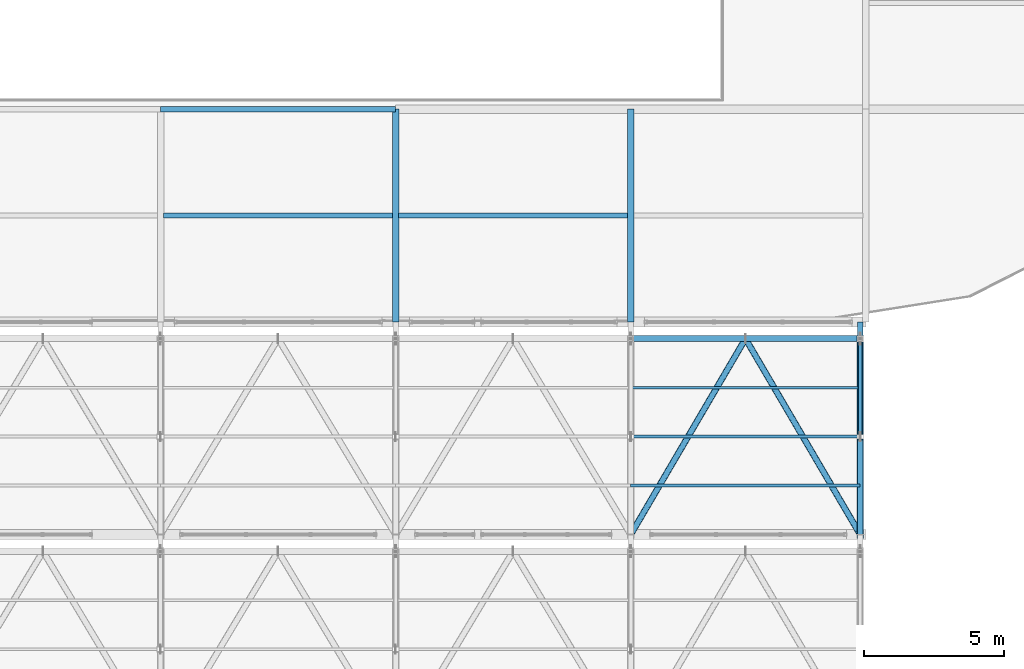
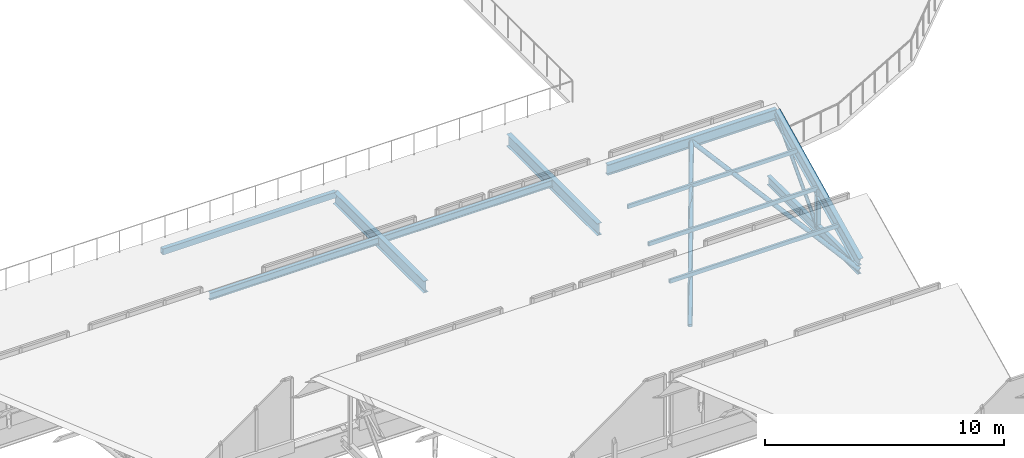
# One storey, part 37 of 57: 10 members, 5 beams.
"""IFC4 building model written with IfcOpenShell, lengths in metres."""

from ifc_helpers import new_model, si_unit, direction, frame, origin, origin_2d, place, context, subcontext, project, spatial, hollow_rectangle, hollow_circle, i_section, extrude, material, material_profile, profile_set, type_object, element, save


model = new_model("IFC4")

# Units and contexts
model_context = context("Model", 3, precision=1e-05, world=origin(), true_north=direction((0.0, 1.0)))
body_context = subcontext(model_context, "Body", "Model", "MODEL_VIEW")
ifc_project = project(units=[si_unit("LENGTHUNIT", "METRE"), si_unit("AREAUNIT", "SQUARE_METRE"), si_unit("VOLUMEUNIT", "CUBIC_METRE"), si_unit("PLANEANGLEUNIT", "RADIAN"), si_unit("MASSUNIT", "GRAM", prefix="KILO")], contexts=[model_context])

# Site, building, storey
site_placement = place(None, origin())
site = spatial("IfcSite", under=ifc_project, at=site_placement, CompositionType="ELEMENT")
building_placement = place(site_placement, origin())
building = spatial("IfcBuilding", under=site, at=building_placement, Name="Zuvorla Pavilion Media Centre", CompositionType="ELEMENT")
storey_placement = place(building_placement, frame((0.0, 0.0, 18.0)))
storey = spatial("IfcBuildingStorey", under=building, at=storey_placement, Name="L04", CompositionType="ELEMENT", Elevation=18.0)

# Beams
ifc_material = material(Name="Steel S355", Category="steel")
ifc_material_profile_1 = material_profile(ifc_material, hollow_rectangle(XDim=0.199951171875, YDim=0.300048828125, WallThickness=0.012451171875, at=origin_2d()), Name="RHS 300x200x12.5")
ifc_profile_set_1 = profile_set([ifc_material_profile_1], Name="Steel S355")
beam_type_1 = type_object("IfcBeamType", Name="BM-SP-RHS300", PredefinedType="SPANDREL", material=ifc_profile_set_1)
beam_placement = place(storey_placement, frame((134.0, 51.60009765625, -0.39794921875), z_axis=(1.0, 0.0, 0.0), x_axis=(0.0, 1.0, 0.0)))
element("IfcBeam", 1, at=beam_placement, inside=storey, type_object=beam_type_1, Name="L04 spandrel SP01 1348", PredefinedType="SPANDREL", context=body_context, shape_type="SweptSolid", body=[
    extrude(hollow_rectangle(XDim=0.199951171875, YDim=0.300048828125, WallThickness=0.012451171875, at=origin_2d()), origin(), (0.0, 0.0, 1.0), 8.39990234375),
])
ifc_material_profile_2 = material_profile(ifc_material, i_section(OverallWidth=0.172119140625, OverallDepth=0.35791015625, WebThickness=0.008056640625, FlangeThickness=0.012939453125, FilletRadius=0.01025390625, at=origin_2d()), Name="UB 356x171x57")
ifc_profile_set_2 = profile_set([ifc_material_profile_2], Name="Steel S355")
beam_type_2 = type_object("IfcBeamType", Name="BM-UB356", PredefinedType="JOIST", material=ifc_profile_set_2)
for number, where, z_axis, x_axis, name in (
    (2, (134.109619140625, 47.800048828125, -0.427001953125), (1.0, 0.0, 0.0), (0.0, 1.0, 0.0), "L04 joist J03 1529"),
    (3, (142.509521484375, 47.800048828125, -0.427001953125), (1.0, 0.0, 0.0), (0.0, 1.0, 0.0), "L04 joist J03 1531"),
):
    element("IfcBeam", number, at=place(storey_placement, frame(where, z_axis=z_axis, x_axis=x_axis)), inside=storey, type_object=beam_type_2, Name=name, PredefinedType="JOIST", context=body_context, shape_type="SweptSolid", body=[
        extrude(i_section(OverallWidth=0.172119140625, OverallDepth=0.35791015625, WebThickness=0.008056640625, FlangeThickness=0.012939453125, FilletRadius=0.01025390625, at=origin_2d()), origin(), (0.0, 0.0, 1.0), 8.180908203125),
    ])
ifc_material_profile_3 = material_profile(ifc_material, i_section(OverallWidth=0.22900390625, OverallDepth=0.6123046875, WebThickness=0.011962890625, FlangeThickness=0.01953125, FilletRadius=0.0126953125, at=origin_2d()), Name="UB 610x229x125")
ifc_profile_set_3 = profile_set([ifc_material_profile_3], Name="Steel S355")
beam_type_3 = type_object("IfcBeamType", Name="BM-UB610", PredefinedType="BEAM", material=ifc_profile_set_3)
for number, where, z_axis, x_axis, name in (
    (4, (142.39990234375, 44.0, -0.55419921875), (0.0, 1.0, 0.0), (-1.0, 0.0, 0.0), "L04 beam B07 1462"),
    (5, (150.800048828125, 44.0, -0.55419921875), (0.0, 1.0, 0.0), (-1.0, 0.0, 0.0), "L04 beam B07 1464"),
):
    element("IfcBeam", number, at=place(storey_placement, frame(where, z_axis=z_axis, x_axis=x_axis)), inside=storey, type_object=beam_type_3, Name=name, PredefinedType="BEAM", context=body_context, shape_type="SweptSolid", body=[
        extrude(i_section(OverallWidth=0.22900390625, OverallDepth=0.6123046875, WebThickness=0.011962890625, FlangeThickness=0.01953125, FilletRadius=0.0126953125, at=origin_2d()), origin(), (0.0, 0.0, 1.0), 7.60009765625),
    ])

# Members
ifc_material_profile_4 = material_profile(ifc_material, hollow_circle(Radius=0.084228515625, WallThickness=0.008056640625, at=origin_2d()), Name="CHS 168.3x8")
ifc_profile_set_4 = profile_set([ifc_material_profile_4], Name="Steel S355")
member_type_1 = type_object("IfcMemberType", Name="MEM-BRC-CHS168", PredefinedType="BRACE", material=ifc_profile_set_4)
member_1_placement = place(storey_placement, frame((159.0, 39.89990234375, -0.8798828125), z_axis=(0.0, 0.681156069412, 0.732138244529), x_axis=(-1.0, 0.0, 0.0)))
element("IfcMember", 6, at=member_1_placement, inside=storey, type_object=member_type_1, Name="L04 diagonal brace TB03 766", PredefinedType="BRACE", context=body_context, shape_type="SweptSolid", body=[
    extrude(hollow_circle(Radius=0.084228515625, WallThickness=0.008056640625, at=origin_2d()), origin(), (0.0, 0.0, 1.0), 5.138427734375),
])
ifc_material_profile_5 = material_profile(ifc_material, hollow_circle(Radius=0.109619140625, WallThickness=0.010009765625, at=origin_2d()), Name="CHS 219.1x10")
ifc_profile_set_5 = profile_set([ifc_material_profile_5], Name="Steel S355")
member_type_2 = type_object("IfcMemberType", Name="MEM-BRC-CHS219", PredefinedType="BRACE", material=ifc_profile_set_5)
for number, where, z_axis, x_axis, name in (
    (7, (150.800048828125, 36.39990234375, -0.8798828125), (0.458488859186, 0.782813825438, 0.420702365938), (-0.862891235801, 0.505389666671, 0.0), "L04 diagonal brace TB02 793"),
    (8, (154.89990234375, 43.39990234375, 2.882080078125), (0.458510421872, -0.782804026194, -0.420697099596), (0.862878111278, 0.505412074526, 0.0), "L04 diagonal brace TB02 794"),
):
    element("IfcMember", number, at=place(storey_placement, frame(where, z_axis=z_axis, x_axis=x_axis)), inside=storey, type_object=member_type_2, Name=name, PredefinedType="BRACE", context=body_context, shape_type="SweptSolid", body=[
        extrude(hollow_circle(Radius=0.109619140625, WallThickness=0.010009765625, at=origin_2d()), origin(), (0.0, 0.0, 1.0), 8.942138671875),
    ])
ifc_material_profile_6 = material_profile(ifc_material, i_section(OverallWidth=0.19140625, OverallDepth=0.4599609375, WebThickness=0.010009765625, FlangeThickness=0.01611328125, FilletRadius=0.01025390625, at=origin_2d()), Name="UB 457x191x82")
ifc_profile_set_6 = profile_set([ifc_material_profile_6], Name="Steel S355")
member_type_3 = type_object("IfcMemberType", Name="MEM-CHD-UB457", PredefinedType="CHORD", material=ifc_profile_set_6)
member_2_placement = place(storey_placement, frame((159.0, 36.39990234375, -0.8798828125), z_axis=(0.0, 1.0, 0.0), x_axis=(-1.0, 0.0, 0.0)))
element("IfcMember", 9, at=member_2_placement, inside=storey, type_object=member_type_3, Name="L04 chord TC03 763", PredefinedType="CHORD", context=body_context, shape_type="SweptSolid", body=[
    extrude(i_section(OverallWidth=0.19140625, OverallDepth=0.4599609375, WebThickness=0.010009765625, FlangeThickness=0.01611328125, FilletRadius=0.01025390625, at=origin_2d()), origin(), (0.0, 0.0, 1.0), 7.60009765625),
])
ifc_material_profile_7 = material_profile(ifc_material, i_section(OverallWidth=0.2099609375, OverallDepth=0.53662109375, WebThickness=0.0107421875, FlangeThickness=0.017333984375, FilletRadius=0.0126953125, at=origin_2d()), Name="UB 533x210x101")
ifc_profile_set_7 = profile_set([ifc_material_profile_7], Name="Steel S355")
member_type_4 = type_object("IfcMemberType", Name="MEM-CHD-UB533", PredefinedType="CHORD", material=ifc_profile_set_7)
member_3_placement = place(storey_placement, frame((150.800048828125, 43.39990234375, 2.882080078125), z_axis=(1.0, 0.0, 0.0), x_axis=(0.0, 1.0, 0.0)))
element("IfcMember", 10, at=member_3_placement, inside=storey, type_object=member_type_4, Name="L04 chord TC02 792", PredefinedType="CHORD", context=body_context, shape_type="SweptSolid", body=[
    extrude(i_section(OverallWidth=0.2099609375, OverallDepth=0.53662109375, WebThickness=0.0107421875, FlangeThickness=0.017333984375, FilletRadius=0.0126953125, at=origin_2d()), origin(), (0.0, 0.0, 1.0), 8.199951171875),
])
ifc_material_profile_8 = material_profile(ifc_material, i_section(OverallWidth=0.22900390625, OverallDepth=0.6123046875, WebThickness=0.011962890625, FlangeThickness=0.01953125, FilletRadius=0.0126953125, at=origin_2d()), Name="UB 610x229x125")
ifc_profile_set_8 = profile_set([ifc_material_profile_8], Name="Steel S355")
member_type_5 = type_object("IfcMemberType", Name="MEM-CHD-UB610", PredefinedType="CHORD", material=ifc_profile_set_8)
member_4_placement = place(storey_placement, frame((159.0, 36.39990234375, -0.517822265625), z_axis=(0.0, 0.899513090263, 0.436893809117), x_axis=(-1.0, 0.0, 0.0)))
element("IfcMember", 11, at=member_4_placement, inside=storey, type_object=member_type_5, Name="L04 chord TC01 764", PredefinedType="CHORD", context=body_context, shape_type="SweptSolid", body=[
    extrude(i_section(OverallWidth=0.22900390625, OverallDepth=0.6123046875, WebThickness=0.011962890625, FlangeThickness=0.01953125, FilletRadius=0.0126953125, at=origin_2d()), origin(), (0.0, 0.0, 1.0), 7.781982421875),
])
ifc_material_profile_9 = material_profile(ifc_material, hollow_rectangle(XDim=0.10009765625, YDim=0.199951171875, WallThickness=0.008056640625, at=origin_2d()), Name="RHS 200x100x8")
ifc_profile_set_9 = profile_set([ifc_material_profile_9], Name="Steel S355")
member_type_6 = type_object("IfcMemberType", Name="MEM-PUR-RHS200", PredefinedType="PURLIN", material=ifc_profile_set_9)
for number, where, z_axis, x_axis, name in (
    (12, (150.800048828125, 38.14990234375, 0.33203125), (1.0, 0.0, 0.0), (0.0, 1.0, 0.0), "L04 purlin PR01 795"),
    (13, (150.800048828125, 39.89990234375, 1.18212890625), (1.0, 0.0, 0.0), (0.0, 1.0, 0.0), "L04 purlin PR01 796"),
    (14, (150.800048828125, 41.64990234375, 2.031982421875), (1.0, 0.0, 0.0), (0.0, 1.0, 0.0), "L04 purlin PR01 797"),
):
    element("IfcMember", number, at=place(storey_placement, frame(where, z_axis=z_axis, x_axis=x_axis)), inside=storey, type_object=member_type_6, Name=name, PredefinedType="PURLIN", context=body_context, shape_type="SweptSolid", body=[
        extrude(hollow_rectangle(XDim=0.10009765625, YDim=0.199951171875, WallThickness=0.008056640625, at=origin_2d()), origin(), (0.0, 0.0, 1.0), 8.199951171875),
    ])
ifc_material_profile_10 = material_profile(ifc_material, i_section(OverallWidth=0.205810546875, OverallDepth=0.209716796875, WebThickness=0.009521484375, FlangeThickness=0.01416015625, FilletRadius=0.01025390625, at=origin_2d()), Name="UC 203x203x60")
ifc_profile_set_10 = profile_set([ifc_material_profile_10], Name="Steel S355")
member_type_7 = type_object("IfcMemberType", Name="MEM-STR-UC203", PredefinedType="STRUT", material=ifc_profile_set_10)
member_5_placement = place(storey_placement, frame((159.0, 39.89990234375, -0.8798828125), z_axis=(0.0, 0.0, 1.0), x_axis=(1.0, 0.0, 0.0)))
element("IfcMember", 15, at=member_5_placement, inside=storey, type_object=member_type_7, Name="L04 vertical strut TS02 767", PredefinedType="STRUT", context=body_context, shape_type="SweptSolid", body=[
    extrude(i_section(OverallWidth=0.205810546875, OverallDepth=0.209716796875, WebThickness=0.009521484375, FlangeThickness=0.01416015625, FilletRadius=0.01025390625, at=origin_2d()), origin(), (0.0, 0.0, 1.0), 2.06201171875),
])

save(model, "model.ifc")
